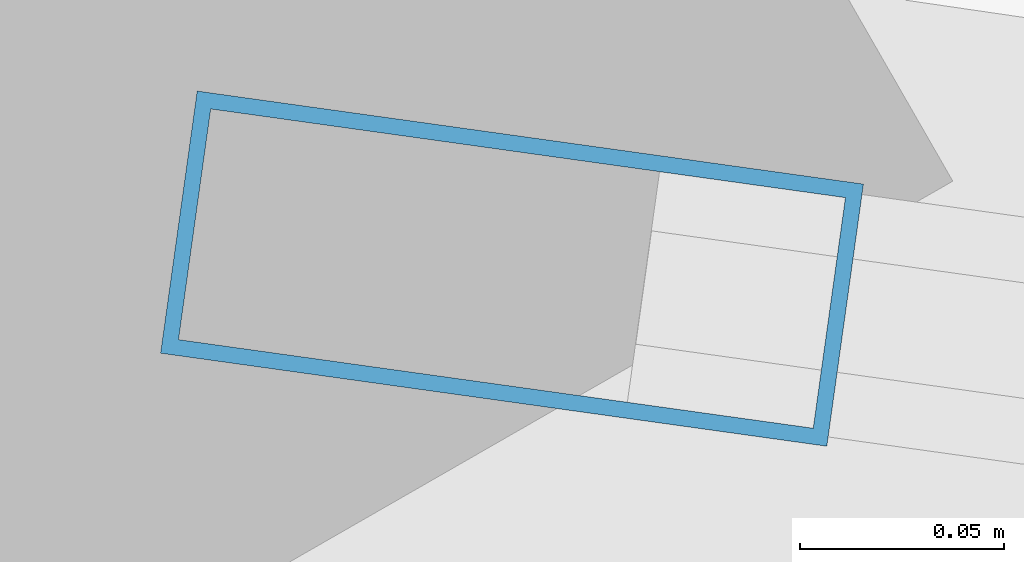
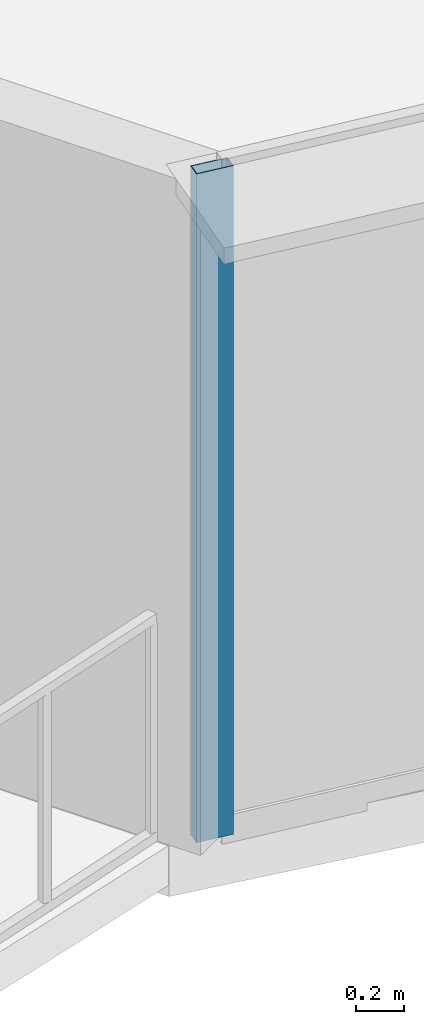
# One storey, part 2 of 38: 1 member, 1 element without a shape of its own.
"""IFC4 building model written with IfcOpenShell, lengths in metres."""

from ifc_helpers import new_model, si_unit, direction, frame, origin, origin_2d, place, context, subcontext, project, spatial, hollow_rectangle, extrude, source, transform, mapped, material, layer, layer_set, material_profile, profile_set, type_object, element, aggregate, save


model = new_model("IFC4")

# Units and contexts
model_context = context("Model", 3, precision=1e-05, world=origin(), true_north=direction((0.0, 1.0)))
body_context = subcontext(model_context, "Body", "Model", "MODEL_VIEW")
ifc_project = project(units=[si_unit("LENGTHUNIT", "METRE"), si_unit("AREAUNIT", "SQUARE_METRE"), si_unit("VOLUMEUNIT", "CUBIC_METRE"), si_unit("PLANEANGLEUNIT", "RADIAN"), si_unit("MASSUNIT", "GRAM", prefix="KILO"), si_unit("THERMODYNAMICTEMPERATUREUNIT", "KELVIN"), si_unit("POWERUNIT", "WATT")], contexts=[model_context])

# Site, building, storey
site_placement = place(None, origin())
site = spatial("IfcSite", under=ifc_project, at=site_placement, CompositionType="ELEMENT")
building_placement = place(site_placement, origin())
building = spatial("IfcBuilding", under=site, at=building_placement, Name="Yunzhuo Pagoda Commons", CompositionType="ELEMENT")
storey_placement = place(building_placement, frame((0.0, 0.0, 34.030029296875)))
storey = spatial("IfcBuildingStorey", under=building, at=storey_placement, Name="L08", CompositionType="ELEMENT", Elevation=34.030029296875)

# Curtain wall, member
ifc_material = material(Name="Anodized aluminium 6063-T6", Category="aluminium")
ifc_layer = layer(ifc_material, 0.1650390625)
ifc_layer_set = layer_set([ifc_layer], Name="Anodized aluminium 6063-T6")
curtain_wall_type = type_object("IfcCurtainWallType", Name="CW-LOW Low-Zone Ribbon Curtain Wall", PredefinedType="NOTDEFINED", material=ifc_layer_set)
curtain_wall_placement = place(storey_placement, origin())
curtain_wall = element("IfcCurtainWall", 1, at=curtain_wall_placement, inside=storey, type_object=curtain_wall_type, Name="L08 curtain wall CW-L08-F1B1", PredefinedType="NOTDEFINED")
ifc_material_profile = material_profile(ifc_material, hollow_rectangle(XDim=0.06494140625, YDim=0.1650390625, WallThickness=0.00390625, at=origin_2d()), Name="Anodized aluminium 6063-T6")
ifc_profile_set = profile_set([ifc_material_profile], Name="Anodized aluminium 6063-T6")
member_type = type_object("IfcMemberType", Name="CW-LOW-M Mullion RHS 165x65x4", PredefinedType="MULLION", material=ifc_profile_set)
shared_shape = source(origin(), body_context, "Body", "SweptSolid", [
    extrude(hollow_rectangle(XDim=0.06494140625, YDim=0.1650390625, WallThickness=0.00390625, at=origin_2d()), origin(), (0.0, 0.0, 1.0), 3.369873046875),
])
member_placement = place(storey_placement, frame((9.14697265625, 14.077880859375, 0.0), z_axis=(0.0, 0.0, 1.0), x_axis=(0.138293641491, 0.99039127052, 0.0)))
member = element("IfcMember", 2, at=member_placement, type_object=member_type, Name="CW mullion 1", PredefinedType="MULLION", context=body_context, shape_type="MappedRepresentation", body=[
    mapped(shared_shape, transform((0.0, 0.0, 0.0), scale=1.0)),
])
aggregate(curtain_wall, [member])

save(model, "model.ifc")
